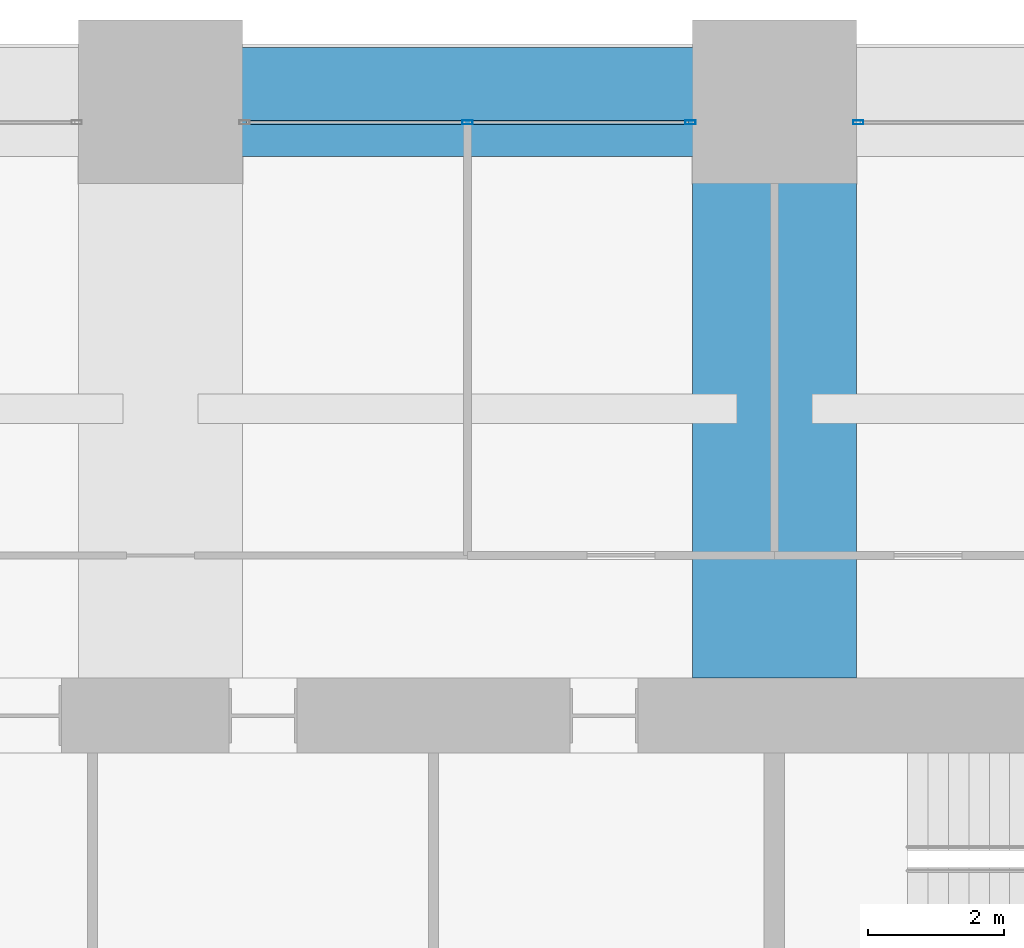
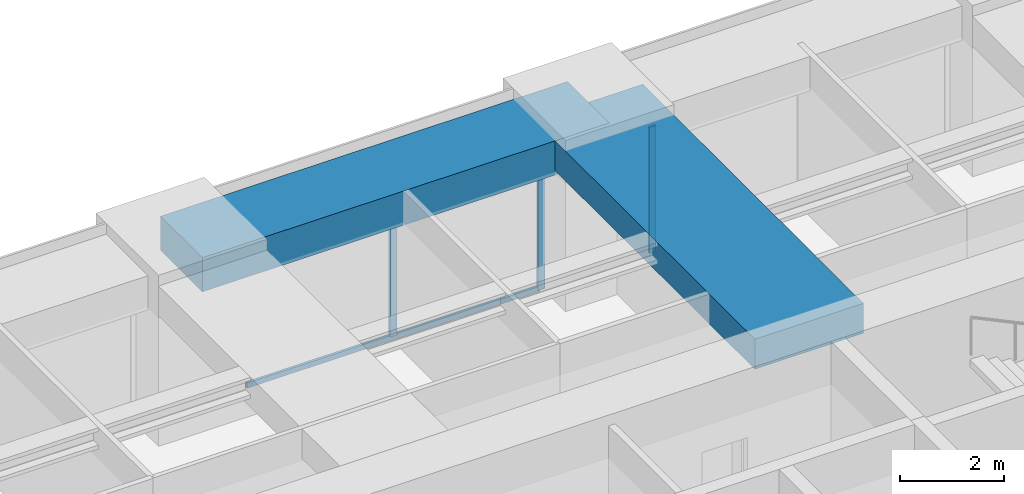
# One storey, part 25 of 35: 4 members, 2 beams, 2 elements without a shape of their own.
"""IFC4 building model written with IfcOpenShell, lengths in metres."""

from ifc_helpers import new_model, si_unit, direction, frame, origin, origin_2d, place, context, subcontext, project, spatial, rectangle, hollow_rectangle, extrude, material, material_profile, profile_set, type_object, element, aggregate, save


model = new_model("IFC4")

# Units and contexts
model_context = context("Model", 3, precision=1e-05, world=origin(), true_north=direction((0.0, 1.0)))
body_context = subcontext(model_context, "Body", "Model", "MODEL_VIEW")
ifc_project = project(units=[si_unit("LENGTHUNIT", "METRE"), si_unit("AREAUNIT", "SQUARE_METRE"), si_unit("VOLUMEUNIT", "CUBIC_METRE"), si_unit("PLANEANGLEUNIT", "RADIAN"), si_unit("MASSUNIT", "GRAM", prefix="KILO")], contexts=[model_context])

# Site, building, storey
site_placement = place(None, origin())
site = spatial("IfcSite", under=ifc_project, at=site_placement, CompositionType="ELEMENT")
building_placement = place(site_placement, origin())
building = spatial("IfcBuilding", under=site, at=building_placement, Name="Zorevar Civic Tower", CompositionType="ELEMENT")
storey_placement = place(building_placement, frame((0.0, 0.0, 222.199951171875)))
storey = spatial("IfcBuildingStorey", under=building, at=storey_placement, Name="L54", CompositionType="ELEMENT", Elevation=222.199951171875)

# Beam
ifc_material_1 = material(Name="Concrete C50/60", Category="concrete")
ifc_material_profile_1 = material_profile(ifc_material_1, rectangle(XDim=2.39990234375, YDim=0.699951171875, at=origin_2d()), Name="RC 2400x700")
ifc_profile_set_1 = profile_set([ifc_material_profile_1], Name="Concrete C50/60")
beam_type_1 = type_object("IfcBeamType", Name="Beam RC 2400x700", PredefinedType="BEAM", material=ifc_profile_set_1)
beam_1_placement = place(storey_placement, frame((36.0, 36.550048828125, 3.400146484375), z_axis=(0.0, 1.0, 0.0), x_axis=(-1.0, 0.0, 0.0)))
element("IfcBeam", 1, at=beam_1_placement, inside=storey, type_object=beam_type_1, Name="Girder L55", PredefinedType="BEAM", context=body_context, shape_type="SweptSolid", body=[
    extrude(rectangle(XDim=2.39990234375, YDim=0.699951171875, at=origin_2d()), origin(), (0.0, 0.0, 1.0), 8.449951171875),
])

# Curtain wall, members
ifc_material_2 = material(Name="Dark grey solar-control glass in black aluminium frame", Category="aluminium")
curtain_wall_type = type_object("IfcCurtainWallType", Name="Curtain wall CW4 high zone", PredefinedType="NOTDEFINED", material=ifc_material_2)
curtain_wall_1_placement = place(storey_placement, origin())
curtain_wall_1 = element("IfcCurtainWall", 2, at=curtain_wall_1_placement, inside=storey, type_object=curtain_wall_type, Name="CW4 L54", PredefinedType="NOTDEFINED")
ifc_material_3 = material(Name="Aluminium, black anodised", Category="aluminium")
ifc_material_profile_2 = material_profile(ifc_material_3, hollow_rectangle(XDim=0.06005859375, YDim=0.14990234375, WallThickness=0.00390625, at=origin_2d()), Name="AL 150x60x4")
ifc_profile_set_2 = profile_set([ifc_material_profile_2], Name="Aluminium, black anodised")
member_type_1 = type_object("IfcMemberType", Name="CW4 mullion AL 150x60x4", PredefinedType="MULLION", material=ifc_profile_set_2)
member_1_placement = place(storey_placement, frame((31.5, 44.699951171875, 0.06005859375), z_axis=(0.0, 0.0, 1.0), x_axis=(0.0, 1.0, 0.0)))
member_1 = element("IfcMember", 3, at=member_1_placement, type_object=member_type_1, Name="CW4 mullion 2", PredefinedType="MULLION", context=body_context, shape_type="SweptSolid", body=[
    extrude(hollow_rectangle(XDim=0.06005859375, YDim=0.14990234375, WallThickness=0.00390625, at=origin_2d()), origin(), (0.0, 0.0, 1.0), 2.889892578125),
])
member_2_placement = place(storey_placement, frame((34.77001953125, 44.699951171875, 0.0), z_axis=(0.0, 0.0, 1.0), x_axis=(0.0, 1.0, 0.0)))
member_2 = element("IfcMember", 4, at=member_2_placement, type_object=member_type_1, Name="CW4 mullion 3", PredefinedType="MULLION", context=body_context, shape_type="SweptSolid", body=[
    extrude(hollow_rectangle(XDim=0.06005859375, YDim=0.14990234375, WallThickness=0.00390625, at=origin_2d()), origin(), (0.0, 0.0, 1.0), 2.949951171875),
])

# Curtain wall, member
curtain_wall_2_placement = place(storey_placement, origin())
curtain_wall_2 = element("IfcCurtainWall", 5, at=curtain_wall_2_placement, inside=storey, type_object=curtain_wall_type, Name="CW4 L54", PredefinedType="NOTDEFINED")
member_3_placement = place(storey_placement, frame((37.22998046875, 44.699951171875, 0.0), z_axis=(0.0, 0.0, 1.0), x_axis=(0.0, 1.0, 0.0)))
member_3 = element("IfcMember", 6, at=member_3_placement, type_object=member_type_1, Name="CW4 mullion 1", PredefinedType="MULLION", context=body_context, shape_type="SweptSolid", body=[
    extrude(hollow_rectangle(XDim=0.06005859375, YDim=0.14990234375, WallThickness=0.00390625, at=origin_2d()), origin(), (0.0, 0.0, 1.0), 2.949951171875),
])
aggregate(curtain_wall_2, [member_3])

# Member
ifc_material_4 = material(Name="Aluminium, black anodised", Category="aluminium")
ifc_material_profile_3 = material_profile(ifc_material_4, hollow_rectangle(XDim=0.06005859375, YDim=0.1201171875, WallThickness=0.0029296875, at=origin_2d()), Name="AL 120x60x3")
ifc_profile_set_3 = profile_set([ifc_material_profile_3], Name="Aluminium, black anodised")
member_type_2 = type_object("IfcMemberType", Name="CW4 transom AL 120x60x3", PredefinedType="USERDEFINED", material=ifc_profile_set_3)
member_4_placement = place(storey_placement, frame((28.260009765625, 44.699951171875, 0.030029296875), z_axis=(1.0, 0.0, 0.0), x_axis=(0.0, 1.0, 0.0)))
member_4 = element("IfcMember", 7, at=member_4_placement, type_object=member_type_2, Name="CW4 sill transom", ObjectType="TRANSOM", PredefinedType="USERDEFINED", context=body_context, shape_type="SweptSolid", body=[
    extrude(hollow_rectangle(XDim=0.06005859375, YDim=0.1201171875, WallThickness=0.0029296875, at=origin_2d()), origin(), (0.0, 0.0, 1.0), 6.47998046875),
])

aggregate(curtain_wall_1, [member_1, member_2, member_4])

# Beam
ifc_material_5 = material(Name="Concrete C50/60", Category="concrete")
ifc_material_profile_4 = material_profile(ifc_material_5, rectangle(XDim=1.60009765625, YDim=0.800048828125, at=origin_2d()), Name="RC 1600x800")
ifc_profile_set_4 = profile_set([ifc_material_profile_4], Name="Concrete C50/60")
beam_type_2 = type_object("IfcBeamType", Name="Edge beam RC 1600x800", PredefinedType="SPANDREL", material=ifc_profile_set_4)
beam_2_placement = place(storey_placement, frame((27.0, 45.0, 3.35009765625), z_axis=(1.0, 0.0, 0.0), x_axis=(0.0, 1.0, 0.0)))
element("IfcBeam", 8, at=beam_2_placement, inside=storey, type_object=beam_type_2, Name="Edge beam L55", PredefinedType="SPANDREL", context=body_context, shape_type="SweptSolid", body=[
    extrude(rectangle(XDim=1.60009765625, YDim=0.800048828125, at=origin_2d()), origin(), (0.0, 0.0, 1.0), 9.0),
])

save(model, "model.ifc")
